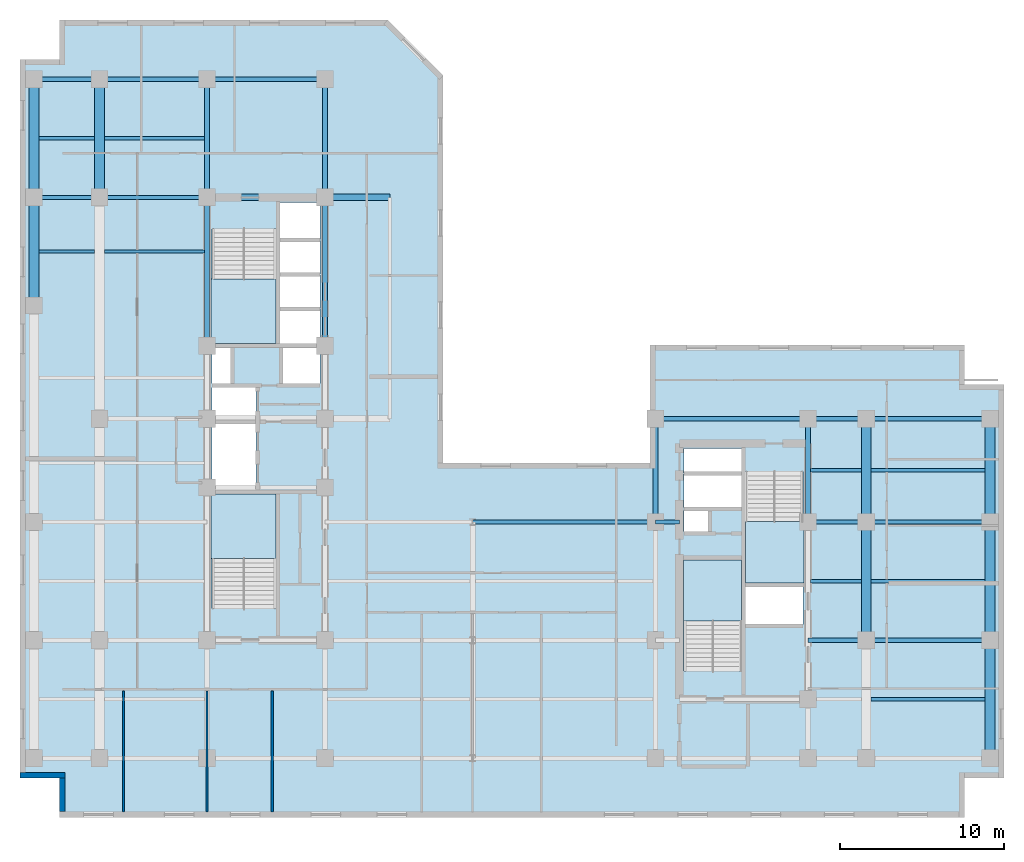
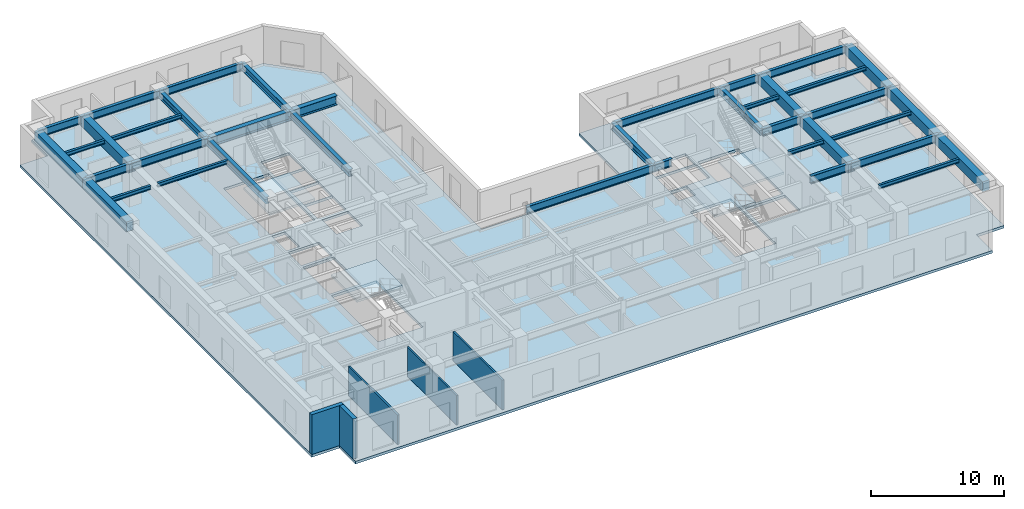
# One storey, part 2 of 10: 38 beams, 5 slabs, 5 walls, 4 elements without a shape of their own.
"""IFC4 building model written with IfcOpenShell, lengths in metres."""

from ifc_helpers import new_model, entity, si_unit, converted_unit, direction, frame, origin_with_axes, origin_2d_with_axis, place, context, subcontext, project, spatial, polyline, rectangle, i_section, outline, extrude, material, layer, layer_set, material_profile, profile_set, type_object, element, aggregate, save


model = new_model("IFC4")

# Units and contexts
model_context = context("Model", 3, precision=1e-05, world=origin_with_axes(), true_north=direction((0.0, 1.0)))
body_context = subcontext(model_context, "Body", "Model", "MODEL_VIEW")
ifc_project = project(units=[si_unit("LENGTHUNIT", "METRE"), si_unit("AREAUNIT", "SQUARE_METRE"), si_unit("VOLUMEUNIT", "CUBIC_METRE"), converted_unit("PLANEANGLEUNIT", "DEGREE", entity("IfcPlaneAngleMeasure", 0.017453292519943295), si_unit("PLANEANGLEUNIT", "RADIAN"), dimensions=[0, 0, 0, 0, 0, 0, 0]), si_unit("MASSUNIT", "GRAM", prefix="KILO"), si_unit("THERMODYNAMICTEMPERATUREUNIT", "KELVIN")], contexts=[model_context])

# Site, building, storey
site_placement = place(None, origin_with_axes())
site = spatial("IfcSite", under=ifc_project, at=site_placement, CompositionType="ELEMENT")
building_placement = place(site_placement, origin_with_axes())
building = spatial("IfcBuilding", under=site, at=building_placement, Name="Varnlund Millrace Tower", CompositionType="ELEMENT")
storey_placement = place(building_placement, frame((0.0, 0.0, 179.7), z_axis=(0.0, 0.0, 1.0), x_axis=(1.0, 0.0, 0.0)))
storey = spatial("IfcBuildingStorey", under=building, at=storey_placement, Name="L44", CompositionType="ELEMENT", Elevation=179.7)

# Beams
ifc_material_1 = material(Name="Steel ASTM A992 Grade 50", Category="steel")
ifc_material_profile_1 = material_profile(ifc_material_1, i_section(OverallWidth=0.328, OverallDepth=0.628, WebThickness=0.0165, FlangeThickness=0.0277, FilletRadius=0.018, at=origin_2d_with_axis()), Name="Steel ASTM A992 Grade 50")
ifc_profile_set_1 = profile_set([ifc_material_profile_1], Name="Steel ASTM A992 Grade 50")
beam_type_1 = type_object("IfcBeamType", Name="Type-Girder-W24X146", PredefinedType="USERDEFINED", material=ifc_profile_set_1)
beam_1_placement = place(storey_placement, frame((11.4, 28.75, 3.346), z_axis=(0.0, 1.0, 0.0), x_axis=(-1.0, 0.0, 0.0)))
element("IfcBeam", 1, at=beam_1_placement, inside=storey, type_object=beam_type_1, Name="Type-Girder-W24X146", ObjectType="GIRDER", PredefinedType="USERDEFINED", context=body_context, shape_type="SweptSolid", body=[
    extrude(i_section(OverallWidth=0.328, OverallDepth=0.628, WebThickness=0.0165, FlangeThickness=0.0277, FilletRadius=0.018, at=origin_2d_with_axis()), origin_with_axes(), (0.0, 0.0, 1.0), 9.05),
])
beam_2_placement = place(storey_placement, frame((11.4, 37.8, 3.346), z_axis=(0.0, 1.0, 0.0), x_axis=(-1.0, 0.0, 0.0)))
element("IfcBeam", 2, at=beam_2_placement, inside=storey, type_object=beam_type_1, Name="Type-Girder-W24X146", ObjectType="GIRDER", PredefinedType="USERDEFINED", context=body_context, shape_type="SweptSolid", body=[
    extrude(i_section(OverallWidth=0.328, OverallDepth=0.628, WebThickness=0.0165, FlangeThickness=0.0277, FilletRadius=0.018, at=origin_2d_with_axis()), origin_with_axes(), (0.0, 0.0, 1.0), 7.2),
])
beam_3_placement = place(storey_placement, frame((18.6, 28.75, 3.346), z_axis=(0.0, 1.0, 0.0), x_axis=(-1.0, 0.0, 0.0)))
element("IfcBeam", 3, at=beam_3_placement, inside=storey, type_object=beam_type_1, Name="Type-Girder-W24X146", ObjectType="GIRDER", PredefinedType="USERDEFINED", context=body_context, shape_type="SweptSolid", body=[
    extrude(i_section(OverallWidth=0.328, OverallDepth=0.628, WebThickness=0.0165, FlangeThickness=0.0277, FilletRadius=0.018, at=origin_2d_with_axis()), origin_with_axes(), (0.0, 0.0, 1.0), 9.05),
])
beam_4_placement = place(storey_placement, frame((18.6, 37.8, 3.346), z_axis=(0.0, 1.0, 0.0), x_axis=(-1.0, 0.0, 0.0)))
element("IfcBeam", 4, at=beam_4_placement, inside=storey, type_object=beam_type_1, Name="Type-Girder-W24X146", ObjectType="GIRDER", PredefinedType="USERDEFINED", context=body_context, shape_type="SweptSolid", body=[
    extrude(i_section(OverallWidth=0.328, OverallDepth=0.628, WebThickness=0.0165, FlangeThickness=0.0277, FilletRadius=0.018, at=origin_2d_with_axis()), origin_with_axes(), (0.0, 0.0, 1.0), 7.2),
])
for number, where, z_axis, x_axis, name in (
    (5, (38.75, 18.0, 3.346), (0.0, 1.0, 0.0), (-1.0, 0.0, 0.0), "Type-Girder-W24X146"),
    (6, (48.05, 18.0, 3.346), (0.0, 1.0, 0.0), (-1.0, 0.0, 0.0), "Type-Girder-W24X146"),
):
    element("IfcBeam", number, at=place(storey_placement, frame(where, z_axis=z_axis, x_axis=x_axis)), inside=storey, type_object=beam_type_1, Name=name, ObjectType="GIRDER", PredefinedType="USERDEFINED", context=body_context, shape_type="SweptSolid", body=[
        extrude(i_section(OverallWidth=0.328, OverallDepth=0.628, WebThickness=0.0165, FlangeThickness=0.0277, FilletRadius=0.018, at=origin_2d_with_axis()), origin_with_axes(), (0.0, 0.0, 1.0), 6.3),
    ])
ifc_material_profile_2 = material_profile(ifc_material_1, i_section(OverallWidth=0.256, OverallDepth=0.693, WebThickness=0.0145, FlangeThickness=0.0236, FilletRadius=0.018, at=origin_2d_with_axis()), Name="Steel ASTM A992 Grade 50")
ifc_profile_set_2 = profile_set([ifc_material_profile_2], Name="Steel ASTM A992 Grade 50")
beam_type_2 = type_object("IfcBeamType", Name="Type-Girder-W27X114", PredefinedType="USERDEFINED", material=ifc_profile_set_2)
beam_5_placement = place(storey_placement, frame((48.05, 10.8, 3.3135), z_axis=(1.0, 0.0, 0.0), x_axis=(0.0, 1.0, 0.0)))
element("IfcBeam", 7, at=beam_5_placement, inside=storey, type_object=beam_type_2, Name="Type-Girder-W27X114", ObjectType="GIRDER", PredefinedType="USERDEFINED", context=body_context, shape_type="SweptSolid", body=[
    extrude(i_section(OverallWidth=0.256, OverallDepth=0.693, WebThickness=0.0145, FlangeThickness=0.0236, FilletRadius=0.018, at=origin_2d_with_axis()), origin_with_axes(), (0.0, 0.0, 1.0), 3.55),
])
beam_6_placement = place(storey_placement, frame((51.6, 10.8, 3.3135), z_axis=(1.0, 0.0, 0.0), x_axis=(0.0, 1.0, 0.0)))
element("IfcBeam", 8, at=beam_6_placement, inside=storey, type_object=beam_type_2, Name="Type-Girder-W27X114", ObjectType="GIRDER", PredefinedType="USERDEFINED", context=body_context, shape_type="SweptSolid", body=[
    extrude(i_section(OverallWidth=0.256, OverallDepth=0.693, WebThickness=0.0145, FlangeThickness=0.0236, FilletRadius=0.018, at=origin_2d_with_axis()), origin_with_axes(), (0.0, 0.0, 1.0), 7.55),
])
beam_7_placement = place(storey_placement, frame((27.6, 18.0, 3.3135), z_axis=(1.0, 0.0, 0.0), x_axis=(0.0, 1.0, 0.0)))
element("IfcBeam", 9, at=beam_7_placement, inside=storey, type_object=beam_type_2, Name="Type-Girder-W27X114", ObjectType="GIRDER", PredefinedType="USERDEFINED", context=body_context, shape_type="SweptSolid", body=[
    extrude(i_section(OverallWidth=0.256, OverallDepth=0.693, WebThickness=0.0145, FlangeThickness=0.0236, FilletRadius=0.018, at=origin_2d_with_axis()), origin_with_axes(), (0.0, 0.0, 1.0), 11.15),
])
beam_8_placement = place(storey_placement, frame((38.75, 18.0, 3.3135), z_axis=(1.0, 0.0, 0.0), x_axis=(0.0, 1.0, 0.0)))
element("IfcBeam", 10, at=beam_8_placement, inside=storey, type_object=beam_type_2, Name="Type-Girder-W27X114", ObjectType="GIRDER", PredefinedType="USERDEFINED", context=body_context, shape_type="SweptSolid", body=[
    extrude(i_section(OverallWidth=0.256, OverallDepth=0.693, WebThickness=0.0145, FlangeThickness=0.0236, FilletRadius=0.018, at=origin_2d_with_axis()), origin_with_axes(), (0.0, 0.0, 1.0), 1.45),
])
beam_9_placement = place(storey_placement, frame((48.05, 18.0, 3.3135), z_axis=(1.0, 0.0, 0.0), x_axis=(0.0, 1.0, 0.0)))
element("IfcBeam", 11, at=beam_9_placement, inside=storey, type_object=beam_type_2, Name="Type-Girder-W27X114", ObjectType="GIRDER", PredefinedType="USERDEFINED", context=body_context, shape_type="SweptSolid", body=[
    extrude(i_section(OverallWidth=0.256, OverallDepth=0.693, WebThickness=0.0145, FlangeThickness=0.0236, FilletRadius=0.018, at=origin_2d_with_axis()), origin_with_axes(), (0.0, 0.0, 1.0), 3.55),
])
beam_10_placement = place(storey_placement, frame((51.6, 18.0, 3.3135), z_axis=(1.0, 0.0, 0.0), x_axis=(0.0, 1.0, 0.0)))
element("IfcBeam", 12, at=beam_10_placement, inside=storey, type_object=beam_type_2, Name="Type-Girder-W27X114", ObjectType="GIRDER", PredefinedType="USERDEFINED", context=body_context, shape_type="SweptSolid", body=[
    extrude(i_section(OverallWidth=0.256, OverallDepth=0.693, WebThickness=0.0145, FlangeThickness=0.0236, FilletRadius=0.018, at=origin_2d_with_axis()), origin_with_axes(), (0.0, 0.0, 1.0), 7.55),
])
beam_11_placement = place(storey_placement, frame((38.75, 24.3, 3.3135), z_axis=(1.0, 0.0, 0.0), x_axis=(0.0, 1.0, 0.0)))
element("IfcBeam", 13, at=beam_11_placement, inside=storey, type_object=beam_type_2, Name="Type-Girder-W27X114", ObjectType="GIRDER", PredefinedType="USERDEFINED", context=body_context, shape_type="SweptSolid", body=[
    extrude(i_section(OverallWidth=0.256, OverallDepth=0.693, WebThickness=0.0145, FlangeThickness=0.0236, FilletRadius=0.018, at=origin_2d_with_axis()), origin_with_axes(), (0.0, 0.0, 1.0), 9.3),
])
beam_12_placement = place(storey_placement, frame((48.05, 24.3, 3.3135), z_axis=(1.0, 0.0, 0.0), x_axis=(0.0, 1.0, 0.0)))
element("IfcBeam", 14, at=beam_12_placement, inside=storey, type_object=beam_type_2, Name="Type-Girder-W27X114", ObjectType="GIRDER", PredefinedType="USERDEFINED", context=body_context, shape_type="SweptSolid", body=[
    extrude(i_section(OverallWidth=0.256, OverallDepth=0.693, WebThickness=0.0145, FlangeThickness=0.0236, FilletRadius=0.018, at=origin_2d_with_axis()), origin_with_axes(), (0.0, 0.0, 1.0), 3.55),
])
beam_13_placement = place(storey_placement, frame((51.6, 24.3, 3.3135), z_axis=(1.0, 0.0, 0.0), x_axis=(0.0, 1.0, 0.0)))
element("IfcBeam", 15, at=beam_13_placement, inside=storey, type_object=beam_type_2, Name="Type-Girder-W27X114", ObjectType="GIRDER", PredefinedType="USERDEFINED", context=body_context, shape_type="SweptSolid", body=[
    extrude(i_section(OverallWidth=0.256, OverallDepth=0.693, WebThickness=0.0145, FlangeThickness=0.0236, FilletRadius=0.018, at=origin_2d_with_axis()), origin_with_axes(), (0.0, 0.0, 1.0), 7.55),
])
beam_14_placement = place(storey_placement, frame((0.85, 37.8, 3.3135), z_axis=(1.0, 0.0, 0.0), x_axis=(0.0, 1.0, 0.0)))
element("IfcBeam", 16, at=beam_14_placement, inside=storey, type_object=beam_type_2, Name="Type-Girder-W27X114", ObjectType="GIRDER", PredefinedType="USERDEFINED", context=body_context, shape_type="SweptSolid", body=[
    extrude(i_section(OverallWidth=0.256, OverallDepth=0.693, WebThickness=0.0145, FlangeThickness=0.0236, FilletRadius=0.018, at=origin_2d_with_axis()), origin_with_axes(), (0.0, 0.0, 1.0), 4.0),
])
beam_15_placement = place(storey_placement, frame((4.85, 37.8, 3.3135), z_axis=(1.0, 0.0, 0.0), x_axis=(0.0, 1.0, 0.0)))
element("IfcBeam", 17, at=beam_15_placement, inside=storey, type_object=beam_type_2, Name="Type-Girder-W27X114", ObjectType="GIRDER", PredefinedType="USERDEFINED", context=body_context, shape_type="SweptSolid", body=[
    extrude(i_section(OverallWidth=0.256, OverallDepth=0.693, WebThickness=0.0145, FlangeThickness=0.0236, FilletRadius=0.018, at=origin_2d_with_axis()), origin_with_axes(), (0.0, 0.0, 1.0), 6.55),
])
beam_16_placement = place(storey_placement, frame((0.85, 45.0, 3.3135), z_axis=(1.0, 0.0, 0.0), x_axis=(0.0, 1.0, 0.0)))
element("IfcBeam", 18, at=beam_16_placement, inside=storey, type_object=beam_type_2, Name="Type-Girder-W27X114", ObjectType="GIRDER", PredefinedType="USERDEFINED", context=body_context, shape_type="SweptSolid", body=[
    extrude(i_section(OverallWidth=0.256, OverallDepth=0.693, WebThickness=0.0145, FlangeThickness=0.0236, FilletRadius=0.018, at=origin_2d_with_axis()), origin_with_axes(), (0.0, 0.0, 1.0), 4.0),
])
beam_17_placement = place(storey_placement, frame((4.85, 45.0, 3.3135), z_axis=(1.0, 0.0, 0.0), x_axis=(0.0, 1.0, 0.0)))
element("IfcBeam", 19, at=beam_17_placement, inside=storey, type_object=beam_type_2, Name="Type-Girder-W27X114", ObjectType="GIRDER", PredefinedType="USERDEFINED", context=body_context, shape_type="SweptSolid", body=[
    extrude(i_section(OverallWidth=0.256, OverallDepth=0.693, WebThickness=0.0145, FlangeThickness=0.0236, FilletRadius=0.018, at=origin_2d_with_axis()), origin_with_axes(), (0.0, 0.0, 1.0), 6.55),
])
beam_18_placement = place(storey_placement, frame((11.4, 45.0, 3.3135), z_axis=(1.0, 0.0, 0.0), x_axis=(0.0, 1.0, 0.0)))
element("IfcBeam", 20, at=beam_18_placement, inside=storey, type_object=beam_type_2, Name="Type-Girder-W27X114", ObjectType="GIRDER", PredefinedType="USERDEFINED", context=body_context, shape_type="SweptSolid", body=[
    extrude(i_section(OverallWidth=0.256, OverallDepth=0.693, WebThickness=0.0145, FlangeThickness=0.0236, FilletRadius=0.018, at=origin_2d_with_axis()), origin_with_axes(), (0.0, 0.0, 1.0), 7.2),
])
ifc_material_profile_3 = material_profile(ifc_material_1, i_section(OverallWidth=0.399, OverallDepth=0.855, WebThickness=0.0182, FlangeThickness=0.0292, FilletRadius=0.022, at=origin_2d_with_axis()), Name="Steel ASTM A992 Grade 50")
ifc_profile_set_3 = profile_set([ifc_material_profile_3], Name="Steel ASTM A992 Grade 50")
beam_type_3 = type_object("IfcBeamType", Name="Type-Girder-W33X201", PredefinedType="USERDEFINED", material=ifc_profile_set_3)
beam_19_placement = place(storey_placement, frame((11.4, 37.8, 3.2325), z_axis=(1.0, 0.0, 0.0), x_axis=(0.0, 1.0, 0.0)))
element("IfcBeam", 21, at=beam_19_placement, inside=storey, type_object=beam_type_3, Name="Type-Girder-W33X201", ObjectType="GIRDER", PredefinedType="USERDEFINED", context=body_context, shape_type="SweptSolid", body=[
    extrude(i_section(OverallWidth=0.399, OverallDepth=0.855, WebThickness=0.0182, FlangeThickness=0.0292, FilletRadius=0.022, at=origin_2d_with_axis()), origin_with_axes(), (0.0, 0.0, 1.0), 11.15),
])
ifc_material_profile_4 = material_profile(ifc_material_1, i_section(OverallWidth=0.204, OverallDepth=0.35, WebThickness=0.0086, FlangeThickness=0.0151, FilletRadius=0.013, at=origin_2d_with_axis()), Name="Steel ASTM A992 Grade 50")
ifc_profile_set_4 = profile_set([ifc_material_profile_4], Name="Steel ASTM A992 Grade 50")
beam_type_4 = type_object("IfcBeamType", Name="Type-Joist-W14X48", PredefinedType="JOIST", material=ifc_profile_set_4)
for number, where, z_axis, x_axis, name in (
    (22, (1.15, 34.5, 3.485), (1.0, 0.0, 0.0), (0.0, 1.0, 0.0), "Type-Joist-W14X48"),
    (23, (1.15, 41.4, 3.485), (1.0, 0.0, 0.0), (0.0, 1.0, 0.0), "Type-Joist-W14X48"),
):
    element("IfcBeam", number, at=place(storey_placement, frame(where, z_axis=z_axis, x_axis=x_axis)), inside=storey, type_object=beam_type_4, Name=name, PredefinedType="JOIST", context=body_context, shape_type="SweptSolid", body=[
        extrude(i_section(OverallWidth=0.204, OverallDepth=0.35, WebThickness=0.0086, FlangeThickness=0.0151, FilletRadius=0.013, at=origin_2d_with_axis()), origin_with_axes(), (0.0, 0.0, 1.0), 3.4),
    ])
for number, where, z_axis, x_axis, name in (
    (24, (5.15, 34.5, 3.485), (1.0, 0.0, 0.0), (0.0, 1.0, 0.0), "Type-Joist-W14X48"),
    (25, (5.15, 41.4, 3.485), (1.0, 0.0, 0.0), (0.0, 1.0, 0.0), "Type-Joist-W14X48"),
):
    element("IfcBeam", number, at=place(storey_placement, frame(where, z_axis=z_axis, x_axis=x_axis)), inside=storey, type_object=beam_type_4, Name=name, PredefinedType="JOIST", context=body_context, shape_type="SweptSolid", body=[
        extrude(i_section(OverallWidth=0.204, OverallDepth=0.35, WebThickness=0.0086, FlangeThickness=0.0151, FilletRadius=0.013, at=origin_2d_with_axis()), origin_with_axes(), (0.0, 0.0, 1.0), 6.086),
    ])
for number, where, z_axis, x_axis, name in (
    (26, (48.214, 14.4, 3.485), (1.0, 0.0, 0.0), (0.0, 1.0, 0.0), "Type-Joist-W14X48"),
    (27, (48.214, 21.15, 3.485), (1.0, 0.0, 0.0), (0.0, 1.0, 0.0), "Type-Joist-W14X48"),
):
    element("IfcBeam", number, at=place(storey_placement, frame(where, z_axis=z_axis, x_axis=x_axis)), inside=storey, type_object=beam_type_4, Name=name, PredefinedType="JOIST", context=body_context, shape_type="SweptSolid", body=[
        extrude(i_section(OverallWidth=0.204, OverallDepth=0.35, WebThickness=0.0086, FlangeThickness=0.0151, FilletRadius=0.013, at=origin_2d_with_axis()), origin_with_axes(), (0.0, 0.0, 1.0), 3.086),
    ])
for number, where, z_axis, x_axis, name in (
    (28, (51.9, 7.2, 3.485), (1.0, 0.0, 0.0), (0.0, 1.0, 0.0), "Type-Joist-W14X48"),
    (29, (51.9, 14.4, 3.485), (1.0, 0.0, 0.0), (0.0, 1.0, 0.0), "Type-Joist-W14X48"),
    (30, (51.9, 21.15, 3.485), (1.0, 0.0, 0.0), (0.0, 1.0, 0.0), "Type-Joist-W14X48"),
):
    element("IfcBeam", number, at=place(storey_placement, frame(where, z_axis=z_axis, x_axis=x_axis)), inside=storey, type_object=beam_type_4, Name=name, PredefinedType="JOIST", context=body_context, shape_type="SweptSolid", body=[
        extrude(i_section(OverallWidth=0.204, OverallDepth=0.35, WebThickness=0.0086, FlangeThickness=0.0151, FilletRadius=0.013, at=origin_2d_with_axis()), origin_with_axes(), (0.0, 0.0, 1.0), 6.95),
    ])
ifc_material_2 = material(Name="Concrete C70/85", Category="concrete")
ifc_material_profile_5 = material_profile(ifc_material_2, rectangle(XDim=0.6, YDim=0.9, at=origin_2d_with_axis()), Name="Concrete C70/85")
ifc_profile_set_5 = profile_set([ifc_material_profile_5], Name="Concrete C70/85")
beam_type_5 = type_object("IfcBeamType", Name="Type-Spandrel-RC600X900", PredefinedType="SPANDREL", material=ifc_profile_set_5)
beam_20_placement = place(storey_placement, frame((0.85, 31.2, 3.21), z_axis=(0.0, 1.0, 0.0), x_axis=(-1.0, 0.0, 0.0)))
element("IfcBeam", 31, at=beam_20_placement, inside=storey, type_object=beam_type_5, Name="Type-Spandrel-RC600X900", PredefinedType="SPANDREL", context=body_context, shape_type="SweptSolid", body=[
    extrude(rectangle(XDim=0.6, YDim=0.9, at=origin_2d_with_axis()), origin_with_axes(), (0.0, 0.0, 1.0), 6.6),
])
for number, where, z_axis, x_axis, name in (
    (32, (0.85, 37.8, 3.21), (0.0, 1.0, 0.0), (-1.0, 0.0, 0.0), "Type-Spandrel-RC600X900"),
    (33, (4.85, 37.8, 3.21), (0.0, 1.0, 0.0), (-1.0, 0.0, 0.0), "Type-Spandrel-RC600X900"),
    (34, (51.6, 10.8, 3.21), (0.0, 1.0, 0.0), (-1.0, 0.0, 0.0), "Type-Spandrel-RC600X900"),
):
    element("IfcBeam", number, at=place(storey_placement, frame(where, z_axis=z_axis, x_axis=x_axis)), inside=storey, type_object=beam_type_5, Name=name, PredefinedType="SPANDREL", context=body_context, shape_type="SweptSolid", body=[
        extrude(rectangle(XDim=0.6, YDim=0.9, at=origin_2d_with_axis()), origin_with_axes(), (0.0, 0.0, 1.0), 7.2),
    ])
beam_21_placement = place(storey_placement, frame((51.6, 18.0, 3.21), z_axis=(0.0, 1.0, 0.0), x_axis=(-1.0, 0.0, 0.0)))
element("IfcBeam", 35, at=beam_21_placement, inside=storey, type_object=beam_type_5, Name="Type-Spandrel-RC600X900", PredefinedType="SPANDREL", context=body_context, shape_type="SweptSolid", body=[
    extrude(rectangle(XDim=0.6, YDim=0.9, at=origin_2d_with_axis()), origin_with_axes(), (0.0, 0.0, 1.0), 6.3),
])
for number, where, z_axis, x_axis, name in (
    (36, (59.15, 3.6, 3.21), (0.0, 1.0, 0.0), (-1.0, 0.0, 0.0), "Type-Spandrel-RC600X900"),
    (37, (59.15, 10.8, 3.21), (0.0, 1.0, 0.0), (-1.0, 0.0, 0.0), "Type-Spandrel-RC600X900"),
):
    element("IfcBeam", number, at=place(storey_placement, frame(where, z_axis=z_axis, x_axis=x_axis)), inside=storey, type_object=beam_type_5, Name=name, PredefinedType="SPANDREL", context=body_context, shape_type="SweptSolid", body=[
        extrude(rectangle(XDim=0.6, YDim=0.9, at=origin_2d_with_axis()), origin_with_axes(), (0.0, 0.0, 1.0), 7.2),
    ])
beam_22_placement = place(storey_placement, frame((59.15, 18.0, 3.21), z_axis=(0.0, 1.0, 0.0), x_axis=(-1.0, 0.0, 0.0)))
element("IfcBeam", 38, at=beam_22_placement, inside=storey, type_object=beam_type_5, Name="Type-Spandrel-RC600X900", PredefinedType="SPANDREL", context=body_context, shape_type="SweptSolid", body=[
    extrude(rectangle(XDim=0.6, YDim=0.9, at=origin_2d_with_axis()), origin_with_axes(), (0.0, 0.0, 1.0), 6.3),
])

# Slab
ifc_material_3 = material(Name="Concrete C60/75", Category="concrete")
ifc_layer_1 = layer(ifc_material_3, 0.24, Name="Concrete C60/75")
ifc_layer_set_1 = layer_set([ifc_layer_1], Name="Concrete C60/75")
slab_type_1 = type_object("IfcSlabType", Name="Type-Deck-Plate-Typical-240", PredefinedType="FLOOR", material=ifc_layer_set_1)
slab_1_placement = place(storey_placement, frame((0.0, 0.0, -0.24), z_axis=(0.0, 0.0, 1.0), x_axis=(1.0, 0.0, 0.0)))
element("IfcSlab", 39, at=slab_1_placement, inside=storey, type_object=slab_type_1, Name="Type-Deck-Plate-Typical-240", PredefinedType="FLOOR", context=body_context, shape_type="SweptSolid", body=[
    extrude(outline(polyline([(25.805, 21.6), (25.805, 45.24), (22.445, 48.6), (2.4, 48.6), (2.4, 46.2), (0.0, 46.2), (0.0, 2.4), (2.4, 2.4), (2.4, 0.0), (57.6, 0.0), (57.6, 2.4), (60.0, 2.4), (60.0, 26.4), (57.6, 26.4), (57.6, 28.8), (38.4, 28.8), (38.4, 21.6), (25.805, 21.6)]), holes=[polyline([(15.6, 12.715), (11.7, 12.715), (11.7, 19.7), (15.6, 19.7), (15.6, 12.715)]), polyline([(14.38, 23.98), (14.38, 19.94), (11.7, 19.94), (11.7, 23.98), (14.38, 23.98)]), polyline([(14.38, 24.24), (11.7, 24.24), (11.7, 26.2), (14.38, 26.2), (14.38, 24.24)]), polyline([(12.84, 26.46), (11.7, 26.46), (11.7, 28.65), (12.84, 28.65), (12.84, 26.46)]), polyline([(18.3, 28.9), (15.84, 28.9), (15.84, 30.98), (18.3, 30.98), (18.3, 28.9)]), polyline([(18.3, 31.02), (15.84, 31.02), (15.84, 33.08), (18.3, 33.08), (18.3, 31.02)]), polyline([(15.6, 28.9), (11.7, 28.9), (11.7, 35.885), (15.6, 35.885), (15.6, 28.9)]), polyline([(18.3, 33.12), (15.84, 33.12), (15.84, 35.18), (18.3, 35.18), (18.3, 33.12)]), polyline([(44.0, 8.915), (40.5, 8.915), (40.5, 15.7), (44.0, 15.7), (44.0, 8.915)]), polyline([(47.75, 11.74), (44.25, 11.74), (44.25, 14.06), (47.75, 14.06), (47.75, 11.74)]), polyline([(47.75, 14.3), (44.25, 14.3), (44.25, 21.085), (47.75, 21.085), (47.75, 14.3)]), polyline([(41.95, 17.42), (40.5, 17.42), (40.5, 18.72), (41.95, 18.72), (41.95, 17.42)]), polyline([(44.0, 18.88), (40.5, 18.88), (40.5, 20.94), (44.0, 20.94), (44.0, 18.88)]), polyline([(44.0, 21.0), (40.5, 21.0), (40.5, 22.5), (44.0, 22.5), (44.0, 21.0)]), polyline([(16.04, 26.46), (16.04, 28.65), (18.3, 28.65), (18.3, 26.46), (16.04, 26.46)]), polyline([(15.84, 35.22), (15.84, 37.5), (18.3, 37.5), (18.3, 35.22), (15.84, 35.22)])]), origin_with_axes(), (0.0, 0.0, 1.0), 0.24),
])

# Stair, slab
ifc_material_4 = material(Name="Concrete C50/60", Category="concrete")
stair_type_1 = type_object("IfcStairType", Name="Type-Stair-Dogleg-185-390", PredefinedType="HALF_TURN_STAIR", material=ifc_material_4)
stair_1_placement = place(storey_placement, origin_with_axes())
stair_1 = element("IfcStair", 40, at=stair_1_placement, inside=storey, type_object=stair_type_1, Name="Type-Stair-Dogleg-185-390", PredefinedType="HALF_TURN_STAIR")
ifc_layer_2 = layer(ifc_material_4, 0.2, Name="Concrete C50/60")
ifc_layer_set_2 = layer_set([ifc_layer_2], Name="Concrete C50/60")
slab_type_2 = type_object("IfcSlabType", Name="Type-StairLanding-200", PredefinedType="LANDING", material=ifc_layer_set_2)
slab_2_placement = place(storey_placement, frame((0.0, 0.0, 1.75), z_axis=(0.0, 0.0, 1.0), x_axis=(1.0, 0.0, 0.0)))
slab_2 = element("IfcSlab", 41, at=slab_2_placement, type_object=slab_type_2, Name="ST-A1 landing 1", PredefinedType="LANDING", context=body_context, shape_type="SweptSolid", body=[
    extrude(outline(polyline([(15.6, 15.78), (15.6, 19.7), (11.65, 19.7), (11.65, 15.78), (15.6, 15.78)])), origin_with_axes(), (0.0, 0.0, 1.0), 0.2),
])
aggregate(stair_1, [slab_2])

stair_2_placement = place(storey_placement, origin_with_axes())
stair_2 = element("IfcStair", 42, at=stair_2_placement, inside=storey, type_object=stair_type_1, Name="Type-Stair-Dogleg-185-390", PredefinedType="HALF_TURN_STAIR")
slab_3_placement = place(storey_placement, frame((0.0, 0.0, 1.75), z_axis=(0.0, 0.0, 1.0), x_axis=(1.0, 0.0, 0.0)))
slab_3 = element("IfcSlab", 43, at=slab_3_placement, type_object=slab_type_2, Name="ST-A2 landing 1", PredefinedType="LANDING", context=body_context, shape_type="SweptSolid", body=[
    extrude(outline(polyline([(11.65, 32.82), (11.65, 28.9), (15.6, 28.9), (15.6, 32.82), (11.65, 32.82)])), origin_with_axes(), (0.0, 0.0, 1.0), 0.2),
])
aggregate(stair_2, [slab_3])

stair_type_2 = type_object("IfcStairType", Name="Type-Stair-Dogleg-165-390", PredefinedType="HALF_TURN_STAIR", material=ifc_material_4)
stair_3_placement = place(storey_placement, origin_with_axes())
stair_3 = element("IfcStair", 44, at=stair_3_placement, inside=storey, type_object=stair_type_2, Name="Type-Stair-Dogleg-165-390", PredefinedType="HALF_TURN_STAIR")
slab_4_placement = place(storey_placement, frame((0.0, 0.0, 1.75), z_axis=(0.0, 0.0, 1.0), x_axis=(1.0, 0.0, 0.0)))
slab_4 = element("IfcSlab", 45, at=slab_4_placement, type_object=slab_type_2, Name="ST-B1 landing 1", PredefinedType="LANDING", context=body_context, shape_type="SweptSolid", body=[
    extrude(outline(polyline([(44.0, 11.98), (44.0, 15.7), (40.45, 15.7), (40.45, 11.98), (44.0, 11.98)])), origin_with_axes(), (0.0, 0.0, 1.0), 0.2),
])
aggregate(stair_3, [slab_4])

stair_4_placement = place(storey_placement, origin_with_axes())
stair_4 = element("IfcStair", 46, at=stair_4_placement, inside=storey, type_object=stair_type_2, Name="Type-Stair-Dogleg-165-390", PredefinedType="HALF_TURN_STAIR")
slab_5_placement = place(storey_placement, frame((0.0, 0.0, 1.75), z_axis=(0.0, 0.0, 1.0), x_axis=(1.0, 0.0, 0.0)))
slab_5 = element("IfcSlab", 47, at=slab_5_placement, type_object=slab_type_2, Name="ST-B2 landing 1", PredefinedType="LANDING", context=body_context, shape_type="SweptSolid", body=[
    extrude(outline(polyline([(44.25, 18.02), (44.25, 14.3), (47.8, 14.3), (47.8, 18.02), (44.25, 18.02)])), origin_with_axes(), (0.0, 0.0, 1.0), 0.2),
])
aggregate(stair_4, [slab_5])

# Walls
ifc_material_5 = material(Name="Precast concrete C50/60", Category="concrete")
ifc_layer_3 = layer(ifc_material_5, 0.34, Name="Precast concrete C50/60")
ifc_layer_set_3 = layer_set([ifc_layer_3], Name="Precast concrete C50/60")
wall_type_1 = type_object("IfcWallType", Name="Type-ExtWall-Precast-Upper-340", PredefinedType="SOLIDWALL", material=ifc_layer_set_3)
wall_1_placement = place(storey_placement, frame((2.57, 0.34, 0.0), z_axis=(0.0, 0.0, 1.0), x_axis=(0.0, 1.0, 0.0)))
element("IfcWall", 48, at=wall_1_placement, inside=storey, type_object=wall_type_1, Name="Type-ExtWall-Precast-Upper-340", PredefinedType="SOLIDWALL", context=body_context, shape_type="SweptSolid", body=[
    extrude(outline(polyline([(0.0, -0.17), (2.06, -0.17), (2.06, 0.17), (0.0, 0.17), (0.0, -0.17)])), origin_with_axes(), (0.0, 0.0, 1.0), 3.66),
])
wall_2_placement = place(storey_placement, frame((2.74, 2.57, 0.0), z_axis=(0.0, 0.0, 1.0), x_axis=(-1.0, 0.0, 0.0)))
element("IfcWall", 49, at=wall_2_placement, inside=storey, type_object=wall_type_1, Name="Type-ExtWall-Precast-Upper-340", PredefinedType="SOLIDWALL", context=body_context, shape_type="SweptSolid", body=[
    extrude(outline(polyline([(0.0, -0.17), (2.74, -0.17), (2.74, 0.17), (0.0, 0.17), (0.0, -0.17)])), origin_with_axes(), (0.0, 0.0, 1.0), 3.66),
])
ifc_material_6 = material(Name="Acoustic STC-50 gypsum board partition", Category="gypsum")
ifc_layer_4 = layer(ifc_material_6, 0.15, Name="Acoustic STC-50 gypsum board partition")
ifc_layer_set_4 = layer_set([ifc_layer_4], Name="Acoustic STC-50 gypsum board partition")
wall_type_2 = type_object("IfcWallType", Name="Type-Partition-Demising-150", PredefinedType="PARTITIONING", material=ifc_layer_set_4)
for number, where, z_axis, x_axis, name in (
    (50, (6.311, 0.335, 0.0), (0.0, 0.0, 1.0), (0.0, 1.0, 0.0), "Type-Partition-Demising-150"),
    (51, (15.389, 0.335, 0.0), (0.0, 0.0, 1.0), (0.0, 1.0, 0.0), "Type-Partition-Demising-150"),
):
    element("IfcWall", number, at=place(storey_placement, frame(where, z_axis=z_axis, x_axis=x_axis)), inside=storey, type_object=wall_type_2, Name=name, PredefinedType="PARTITIONING", context=body_context, shape_type="SweptSolid", body=[
        extrude(outline(polyline([(0.0, -0.075), (7.365, -0.075), (7.365, 0.075), (0.0, 0.075), (0.0, -0.075)])), origin_with_axes(), (0.0, 0.0, 1.0), 2.7),
    ])
ifc_material_7 = material(Name="Gypsum board tenant partition", Category="gypsum")
ifc_layer_5 = layer(ifc_material_7, 0.125, Name="Gypsum board tenant partition")
ifc_layer_set_5 = layer_set([ifc_layer_5], Name="Gypsum board tenant partition")
wall_type_3 = type_object("IfcWallType", Name="Type-Partition-Tenant-125", PredefinedType="PARTITIONING", material=ifc_layer_set_5)
wall_3_placement = place(storey_placement, frame((11.4, 0.335, 0.0), z_axis=(0.0, 0.0, 1.0), x_axis=(0.0, 1.0, 0.0)))
element("IfcWall", 52, at=wall_3_placement, inside=storey, type_object=wall_type_3, Name="Type-Partition-Tenant-125", PredefinedType="PARTITIONING", context=body_context, shape_type="SweptSolid", body=[
    extrude(outline(polyline([(0.0, -0.0625), (7.365, -0.0625), (7.365, 0.0625), (0.0, 0.0625), (0.0, -0.0625)])), origin_with_axes(), (0.0, 0.0, 1.0), 2.7),
])

save(model, "model.ifc")
